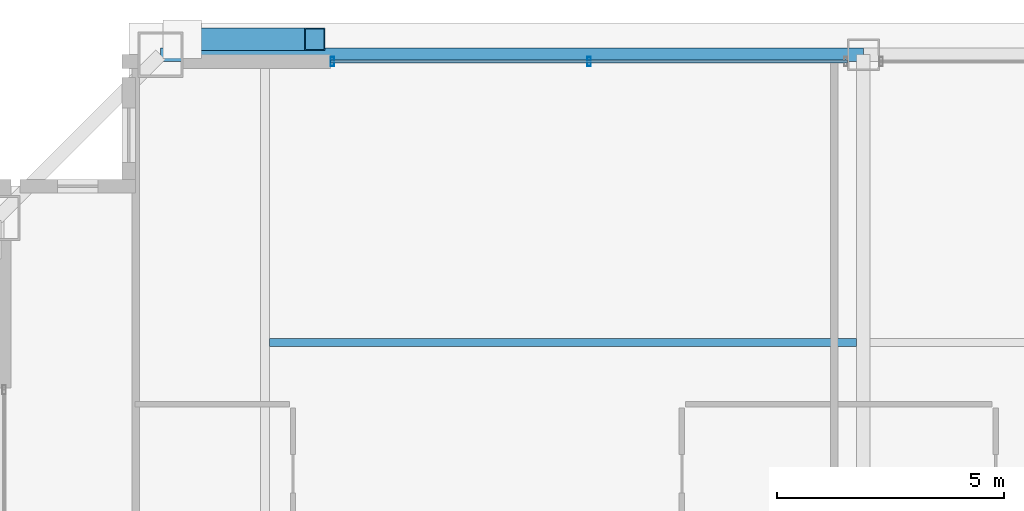
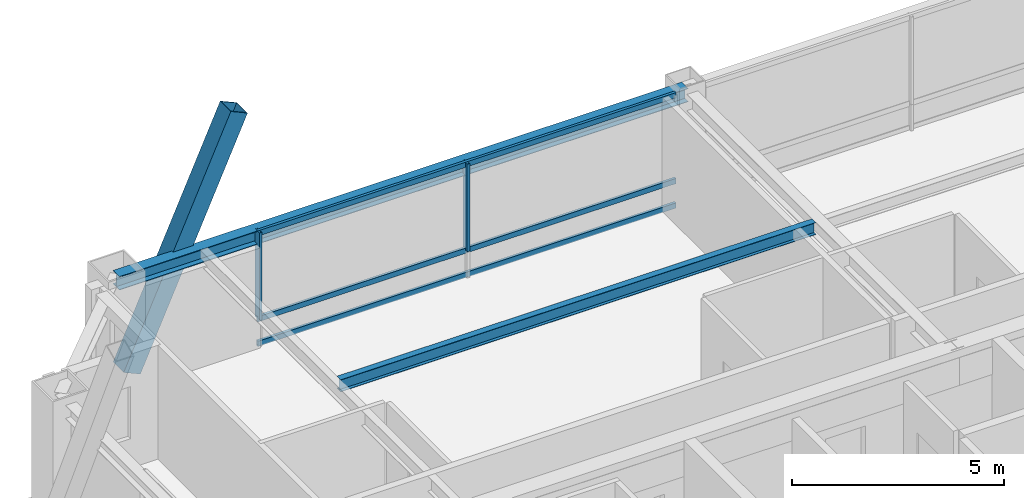
# One storey, part 15 of 33: 6 members, 2 beams, 1 element without a shape of its own.
"""IFC4 building model written with IfcOpenShell, lengths in metres."""

from ifc_helpers import new_model, si_unit, direction, frame, origin, origin_2d, place, context, subcontext, project, spatial, hollow_rectangle, i_section, extrude, source, transform, mapped, material, layer, layer_set, material_profile, profile_set, type_object, element, aggregate, save


model = new_model("IFC4")

# Units and contexts
model_context = context("Model", 3, precision=1e-05, world=origin(), true_north=direction((0.0, 1.0)))
body_context = subcontext(model_context, "Body", "Model", "MODEL_VIEW")
ifc_project = project(units=[si_unit("LENGTHUNIT", "METRE"), si_unit("AREAUNIT", "SQUARE_METRE"), si_unit("VOLUMEUNIT", "CUBIC_METRE"), si_unit("PLANEANGLEUNIT", "RADIAN"), si_unit("MASSUNIT", "GRAM", prefix="KILO"), si_unit("THERMODYNAMICTEMPERATUREUNIT", "KELVIN"), si_unit("POWERUNIT", "WATT")], contexts=[model_context])

# Site, building, storey
site_placement = place(None, origin())
site = spatial("IfcSite", under=ifc_project, at=site_placement, CompositionType="ELEMENT")
building_placement = place(site_placement, origin())
building = spatial("IfcBuilding", under=site, at=building_placement, Name="Yuzanri Waterfront Tower", CompositionType="ELEMENT")
storey_placement = place(building_placement, frame((0.0, 0.0, 321.699951171875)))
storey = spatial("IfcBuildingStorey", under=building, at=storey_placement, Name="L86", CompositionType="ELEMENT", Elevation=321.699951171875)

# Beams
ifc_material_1 = material(Name="Steel Q355B", Category="steel")
ifc_material_profile_1 = material_profile(ifc_material_1, i_section(OverallWidth=0.175048828125, OverallDepth=0.35009765625, WebThickness=0.007080078125, FlangeThickness=0.010986328125, at=origin_2d()), Name="HN 350x175x7x11")
ifc_profile_set_1 = profile_set([ifc_material_profile_1], Name="Steel Q355B")
beam_type_1 = type_object("IfcBeamType", Name="Floor Joist Q355B HN 350x175", PredefinedType="JOIST", material=ifc_profile_set_1)
shared_shape_1 = source(origin(), body_context, "Body", "SweptSolid", [
    extrude(i_section(OverallWidth=0.175048828125, OverallDepth=0.35009765625, WebThickness=0.007080078125, FlangeThickness=0.010986328125, at=origin_2d()), origin(), (0.0, 0.0, 1.0), 12.9501953125),
])
beam_1_placement = place(storey_placement, frame((23.89990234375, 38.550048828125, 3.10498046875), z_axis=(1.0, 0.0, 0.0), x_axis=(0.0, 1.0, 0.0)))
element("IfcBeam", 1, at=beam_1_placement, inside=storey, type_object=beam_type_1, Name="L86 North Bay Joist W", PredefinedType="JOIST", context=body_context, shape_type="MappedRepresentation", body=[
    mapped(shared_shape_1, transform((0.0, 0.0, 0.0), scale=1.0)),
])
ifc_material_2 = material(Name="Steel Q355B", Category="steel")
ifc_material_profile_2 = material_profile(ifc_material_2, i_section(OverallWidth=0.300048828125, OverallDepth=0.389892578125, WebThickness=0.010009765625, FlangeThickness=0.01611328125, at=origin_2d()), Name="HM 390x300x10x16")
ifc_profile_set_2 = profile_set([ifc_material_profile_2], Name="Steel Q355B")
beam_type_2 = type_object("IfcBeamType", Name="Perimeter Spandrel Q355B HM 390x300", PredefinedType="SPANDREL", material=ifc_profile_set_2)
shared_shape_2 = source(origin(), body_context, "Body", "SweptSolid", [
    extrude(i_section(OverallWidth=0.300048828125, OverallDepth=0.389892578125, WebThickness=0.010009765625, FlangeThickness=0.01611328125, at=origin_2d()), origin(), (0.0, 0.0, 1.0), 15.5),
])
beam_2_placement = place(storey_placement, frame((37.0, 44.89990234375, 3.0849609375), z_axis=(-1.0, 0.0, 0.0), x_axis=(0.0, -1.0, 0.0)))
element("IfcBeam", 2, at=beam_2_placement, inside=storey, type_object=beam_type_2, Name="L86 Perimeter Spandrel N2-N1", PredefinedType="SPANDREL", context=body_context, shape_type="MappedRepresentation", body=[
    mapped(shared_shape_2, transform((0.0, 0.0, 0.0), scale=1.0)),
])

# Member
ifc_material_3 = material(Name="Steel Q390GJC", Category="steel")
ifc_material_profile_3 = material_profile(ifc_material_3, hollow_rectangle(XDim=0.5, YDim=0.5, WallThickness=0.02197265625, at=origin_2d()), Name="RHS 500x500x22")
ifc_profile_set_3 = profile_set([ifc_material_profile_3], Name="Steel Q390GJC")
member_type_1 = type_object("IfcMemberType", Name="Mega Brace Upper Q390GJC RHS 500x500x22", PredefinedType="BRACE", material=ifc_profile_set_3)
shared_shape_3 = source(origin(), body_context, "Body", "SweptSolid", [
    extrude(hollow_rectangle(XDim=0.5, YDim=0.5, WallThickness=0.02197265625, at=origin_2d()), origin(), (0.0, 0.0, 1.0), 7.125732421875),
])
member_1_placement = place(storey_placement, frame((21.97998046875, 45.239990234375, 0.179931640625), z_axis=(0.409771952938, 0.0, 0.912187999584), x_axis=(0.0, 1.0, 0.0)))
element("IfcMember", 3, at=member_1_placement, inside=storey, type_object=member_type_1, Name="L86-L87 Perimeter Mega-Brace N-L", PredefinedType="BRACE", context=body_context, shape_type="MappedRepresentation", body=[
    mapped(shared_shape_3, transform((0.0, 0.0, 0.0), scale=1.0)),
])

# Curtain wall, members
ifc_material_4 = material(Name="Anodized Architectural Bronze", Category="metal")
ifc_layer = layer(ifc_material_4, 0.159912109375)
ifc_layer_set = layer_set([ifc_layer], Name="Anodized Architectural Bronze")
curtain_wall_type = type_object("IfcCurtainWallType", Name="Anodized Bronze High-Rise Penthouse High-Wind Unitized Curtain Wall 6900", PredefinedType="NOTDEFINED", material=ifc_layer_set)
curtain_wall_placement = place(storey_placement, origin())
curtain_wall = element("IfcCurtainWall", 4, at=curtain_wall_placement, inside=storey, type_object=curtain_wall_type, Name="L86 Curtain Wall CW-L86-NL", PredefinedType="NOTDEFINED")
ifc_material_5 = material(Name="Anodized Architectural Bronze", Category="metal")
ifc_material_profile_4 = material_profile(ifc_material_5, hollow_rectangle(XDim=0.074951171875, YDim=0.199951171875, WallThickness=0.00390625, at=origin_2d()), Name="CWM 75x200")
ifc_profile_set_4 = profile_set([ifc_material_profile_4], Name="Anodized Architectural Bronze")
member_type_2 = type_object("IfcMemberType", Name="Anodized Bronze Primary Curtain-Wall Mullion 75x200", PredefinedType="MULLION", material=ifc_profile_set_4)
shared_shape_4 = source(origin(), body_context, "Body", "SweptSolid", [
    extrude(hollow_rectangle(XDim=0.074951171875, YDim=0.199951171875, WallThickness=0.00390625, at=origin_2d()), origin(), (0.0, 0.0, 1.0), 2.52392578125),
])
member_2_placement = place(storey_placement, frame((25.2900390625, 44.75, 0.756103515625), z_axis=(0.0, 0.0, 1.0), x_axis=(1.0, 0.0, 0.0)))
member_2 = element("IfcMember", 5, at=member_2_placement, type_object=member_type_2, Name="CW-L86-NL Upper Mullion 00", PredefinedType="MULLION", context=body_context, shape_type="MappedRepresentation", body=[
    mapped(shared_shape_4, transform((0.0, 0.0, 0.0), scale=1.0)),
])
member_3_placement = place(storey_placement, frame((30.949951171875, 44.75, 0.756103515625), z_axis=(0.0, 0.0, 1.0), x_axis=(1.0, 0.0, 0.0)))
member_3 = element("IfcMember", 6, at=member_3_placement, type_object=member_type_2, Name="CW-L86-NL Upper Mullion 01", PredefinedType="MULLION", context=body_context, shape_type="MappedRepresentation", body=[
    mapped(shared_shape_4, transform((0.0, 0.0, 0.0), scale=1.0)),
])
ifc_material_6 = material(Name="Anodized Architectural Bronze", Category="metal")
ifc_material_profile_5 = material_profile(ifc_material_6, hollow_rectangle(XDim=0.074951171875, YDim=0.14990234375, WallThickness=0.00390625, at=origin_2d()), Name="CWT 75x150")
ifc_profile_set_5 = profile_set([ifc_material_profile_5], Name="Anodized Architectural Bronze")
member_type_3 = type_object("IfcMemberType", Name="Anodized Bronze Primary Curtain-Wall Transom 75x150", PredefinedType="USERDEFINED", material=ifc_profile_set_5)
shared_shape_5 = source(origin(), body_context, "Body", "SweptSolid", [
    extrude(hollow_rectangle(XDim=0.074951171875, YDim=0.14990234375, WallThickness=0.00390625, at=origin_2d()), origin(), (0.0, 0.0, 1.0), 11.39990234375),
])
member_4_placement = place(storey_placement, frame((25.25, 44.75, 0.050048828125), z_axis=(1.0, 0.0, 0.0), x_axis=(0.0, 1.0, 0.0)))
member_4 = element("IfcMember", 7, at=member_4_placement, type_object=member_type_3, Name="CW-L86-NL Transom 1", ObjectType="TRANSOM", PredefinedType="USERDEFINED", context=body_context, shape_type="MappedRepresentation", body=[
    mapped(shared_shape_5, transform((0.0, 0.0, 0.0), scale=1.0)),
])
member_5_placement = place(storey_placement, frame((25.25, 44.75, 0.754150390625), z_axis=(1.0, 0.0, 0.0), x_axis=(0.0, 1.0, 0.0)))
member_5 = element("IfcMember", 8, at=member_5_placement, type_object=member_type_3, Name="CW-L86-NL Transom 2", ObjectType="TRANSOM", PredefinedType="USERDEFINED", context=body_context, shape_type="MappedRepresentation", body=[
    mapped(shared_shape_5, transform((0.0, 0.0, 0.0), scale=1.0)),
])
member_6_placement = place(storey_placement, frame((25.25, 44.75, 3.22998046875), z_axis=(1.0, 0.0, 0.0), x_axis=(0.0, 1.0, 0.0)))
member_6 = element("IfcMember", 9, at=member_6_placement, type_object=member_type_3, Name="CW-L86-NL Transom 3", ObjectType="TRANSOM", PredefinedType="USERDEFINED", context=body_context, shape_type="MappedRepresentation", body=[
    mapped(shared_shape_5, transform((0.0, 0.0, 0.0), scale=1.0)),
])
aggregate(curtain_wall, [member_2, member_3, member_4, member_5, member_6])

save(model, "model.ifc")
